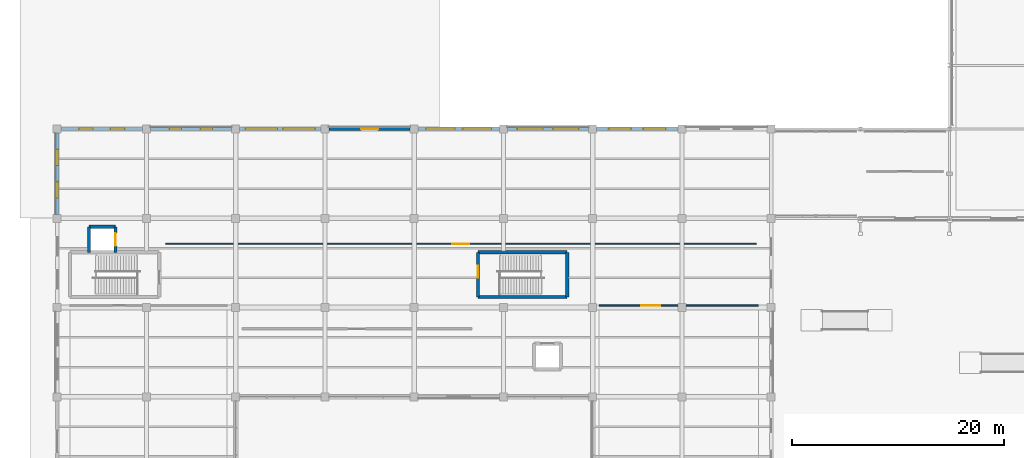
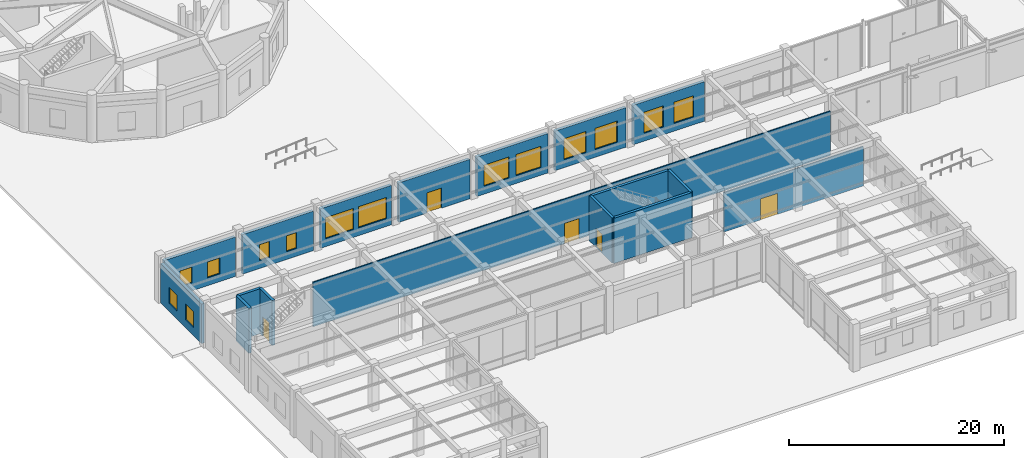
# One storey, part 125 of 157: 17 walls, 14 windows, 5 doors, 19 openings.
"""IFC4 building model written with IfcOpenShell, lengths in metres."""

from ifc_helpers import new_model, si_unit, direction, frame, frame_2d, origin, place, context, subcontext, project, spatial, rectangle, extrude, material, layer, layer_set, type_object, element, fill, save


model = new_model("IFC4")

# Units and contexts
model_context = context("Model", 3, precision=1e-05, world=origin(), true_north=direction((0.0, 1.0)))
body_context = subcontext(model_context, "Body", "Model", "MODEL_VIEW")
ifc_project = project(units=[si_unit("LENGTHUNIT", "METRE"), si_unit("AREAUNIT", "SQUARE_METRE"), si_unit("VOLUMEUNIT", "CUBIC_METRE"), si_unit("PLANEANGLEUNIT", "RADIAN"), si_unit("MASSUNIT", "GRAM", prefix="KILO"), si_unit("THERMODYNAMICTEMPERATUREUNIT", "KELVIN"), si_unit("POWERUNIT", "WATT")], contexts=[model_context])

# Site, building, storey
site_placement = place(None, origin())
site = spatial("IfcSite", under=ifc_project, at=site_placement, CompositionType="ELEMENT")
building_placement = place(site_placement, origin())
building = spatial("IfcBuilding", under=site, at=building_placement, Name="Darbajah Civic Hall", CompositionType="ELEMENT")
storey_placement = place(building_placement, origin())
storey = spatial("IfcBuildingStorey", under=building, at=storey_placement, Name="L00", CompositionType="ELEMENT", Elevation=0.0)

# Walls
ifc_material_1 = material(Name="Concrete C45/55", Category="concrete")
ifc_layer_1 = layer(ifc_material_1, 0.300048828125, Name="Concrete C45/55")
ifc_layer_set_1 = layer_set([ifc_layer_1], Name="Concrete C45/55")
wall_type_1 = type_object("IfcWallType", Name="Core Shear Wall 300mm", PredefinedType="SHEAR", material=ifc_layer_set_1)
wall_1_placement = place(storey_placement, frame((5.5, 32.800048828125, 0.0), z_axis=(0.0, 0.0, 1.0), x_axis=(-1.0, 0.0, 0.0)))
element("IfcWall", 1, at=wall_1_placement, inside=storey, type_object=wall_type_1, Name="L00 lift PL5 shaft wall N", PredefinedType="SHEAR", context=body_context, shape_type="SweptSolid", body=[
    extrude(rectangle(XDim=2.5, YDim=0.300048828125, at=frame_2d((1.25, 0.0))), origin(), (0.0, 0.0, 1.0), 5.1201171875),
])
wall_2_placement = place(storey_placement, frame((3.0, 32.800048828125, 0.0), z_axis=(0.0, 0.0, 1.0), x_axis=(0.0, -1.0, 0.0)))
element("IfcWall", 2, at=wall_2_placement, inside=storey, type_object=wall_type_1, Name="L00 lift PL5 shaft wall W", PredefinedType="SHEAR", context=body_context, shape_type="SweptSolid", body=[
    extrude(rectangle(XDim=2.400146484375, YDim=0.300048828125, at=frame_2d((1.2001953125, 0.0))), origin(), (0.0, 0.0, 1.0), 5.1201171875),
])

# Wall, opening, door
wall_3_placement = place(storey_placement, frame((5.5, 30.39990234375, 0.0), z_axis=(0.0, 0.0, 1.0), x_axis=(0.0, 1.0, 0.0)))
wall_3 = element("IfcWall", 3, at=wall_3_placement, inside=storey, type_object=wall_type_1, Name="L00 lift PL5 shaft wall E", PredefinedType="SHEAR", context=body_context, shape_type="SweptSolid", body=[
    extrude(rectangle(XDim=2.400146484375, YDim=0.300048828125, at=frame_2d((1.2001953125, 0.0))), origin(), (0.0, 0.0, 1.0), 5.1201171875),
])
opening_1_placement = place(wall_3_placement, frame((0.60009765625, 0.0, 0.0)))
opening_1 = element("IfcOpeningElement", 4, at=opening_1_placement, cuts=wall_3, Name="Opening LD-0115", PredefinedType="OPENING", context=body_context, shape_type="SweptSolid", body=[
    extrude(rectangle(XDim=1.199951171875, YDim=2.25, at=frame_2d((0.60009765625, 1.125))), frame((0.0, 0.159912109375, 0.0), z_axis=(0.0, -1.0, 0.0), x_axis=(1.0, 0.0, 0.0)), (0.0, 0.0, 1.0), 0.320068359375),
])
ifc_material_2 = material(Name="Stainless Lift Landing Door")
door_type_1 = type_object("IfcDoorType", Name="Lift Landing Door 1200x2250", OperationType="SLIDING_TO_LEFT", PredefinedType="DOOR", material=ifc_material_2)
door_1_placement = place(opening_1_placement, origin())
door_1 = element("IfcDoor", 5, at=door_1_placement, inside=storey, type_object=door_type_1, Name="L00 lift PL5 landing door LD-0115", OperationType="SLIDING_TO_LEFT", OverallHeight=2.25, OverallWidth=1.199951171875, PredefinedType="DOOR", context=body_context, shape_type="SweptSolid", body=[
    extrude(rectangle(XDim=1.199951171875, YDim=2.25, at=frame_2d((0.60009765625, 1.125))), frame((0.0, 0.02490234375, 0.0), z_axis=(0.0, -1.0, 0.0), x_axis=(1.0, 0.0, 0.0)), (0.0, 0.0, 1.0), 0.050048828125),
])
fill(opening_1, door_1)

# Walls
wall_4_placement = place(storey_placement, frame((39.60009765625, 26.199951171875, 0.0), z_axis=(0.0, 0.0, 1.0), x_axis=(1.0, 0.0, 0.0)))
element("IfcWall", 6, at=wall_4_placement, inside=storey, type_object=wall_type_1, Name="L00 core C11 shear wall S", PredefinedType="SHEAR", context=body_context, shape_type="SweptSolid", body=[
    extrude(rectangle(XDim=8.39990234375, YDim=0.300048828125, at=frame_2d((4.199951171875, 0.0))), origin(), (0.0, 0.0, 1.0), 5.1201171875),
])
wall_5_placement = place(storey_placement, frame((48.0, 26.199951171875, 0.0), z_axis=(0.0, 0.0, 1.0), x_axis=(0.0, 1.0, 0.0)))
element("IfcWall", 7, at=wall_5_placement, inside=storey, type_object=wall_type_1, Name="L00 core C11 shear wall E", PredefinedType="SHEAR", context=body_context, shape_type="SweptSolid", body=[
    extrude(rectangle(XDim=4.199951171875, YDim=0.300048828125, at=frame_2d((2.10009765625, 0.0))), origin(), (0.0, 0.0, 1.0), 5.1201171875),
])
wall_6_placement = place(storey_placement, frame((48.0, 30.39990234375, 0.0), z_axis=(0.0, 0.0, 1.0), x_axis=(-1.0, 0.0, 0.0)))
element("IfcWall", 8, at=wall_6_placement, inside=storey, type_object=wall_type_1, Name="L00 core C11 shear wall N", PredefinedType="SHEAR", context=body_context, shape_type="SweptSolid", body=[
    extrude(rectangle(XDim=8.39990234375, YDim=0.300048828125, at=frame_2d((4.199951171875, 0.0))), origin(), (0.0, 0.0, 1.0), 5.1201171875),
])

# Wall, opening, door
wall_7_placement = place(storey_placement, frame((39.60009765625, 30.39990234375, 0.0), z_axis=(0.0, 0.0, 1.0), x_axis=(0.0, -1.0, 0.0)))
wall_7 = element("IfcWall", 9, at=wall_7_placement, inside=storey, type_object=wall_type_1, Name="L00 core C11 shear wall W", PredefinedType="SHEAR", context=body_context, shape_type="SweptSolid", body=[
    extrude(rectangle(XDim=4.199951171875, YDim=0.300048828125, at=frame_2d((2.10009765625, 0.0))), origin(), (0.0, 0.0, 1.0), 5.1201171875),
])
opening_2_placement = place(wall_7_placement, frame((1.25, 0.0, 0.0)))
opening_2 = element("IfcOpeningElement", 10, at=opening_2_placement, cuts=wall_7, Name="Opening SD-0121", PredefinedType="OPENING", context=body_context, shape_type="SweptSolid", body=[
    extrude(rectangle(XDim=1.14990234375, YDim=2.199951171875, at=frame_2d((0.574951171875, 1.10009765625))), frame((0.0, 0.159912109375, 0.0), z_axis=(0.0, -1.0, 0.0), x_axis=(1.0, 0.0, 0.0)), (0.0, 0.0, 1.0), 0.320068359375),
])
ifc_material_3 = material(Name="Steel Rated Core Door", Category="steel")
door_type_2 = type_object("IfcDoorType", Name="Interior Door 1150x2200", OperationType="NOTDEFINED", PredefinedType="DOOR", material=ifc_material_3)
door_2_placement = place(opening_2_placement, frame((1.14990234375, 0.0, 0.0), z_axis=(0.0, 0.0, 1.0), x_axis=(-1.0, 0.0, 0.0)))
door_2 = element("IfcDoor", 11, at=door_2_placement, inside=storey, type_object=door_type_2, Name="L00 stair ST11 fire door SD-0121", OperationType="SINGLE_SWING_RIGHT", OverallHeight=2.199951171875, OverallWidth=1.14990234375, PredefinedType="DOOR", context=body_context, shape_type="SweptSolid", body=[
    extrude(rectangle(XDim=1.14990234375, YDim=2.199951171875, at=frame_2d((0.574951171875, 1.10009765625))), frame((0.0, 0.02490234375, 0.0), z_axis=(0.0, -1.0, 0.0), x_axis=(1.0, 0.0, 0.0)), (0.0, 0.0, 1.0), 0.050048828125),
])
fill(opening_2, door_2)

# Wall, openings, windows
ifc_material_4 = material(Name="Red Dholpur Sandstone Cladding", Category="masonry")
ifc_layer_2 = layer(ifc_material_4, 0.31005859375, Name="Red Dholpur Sandstone Cladding")
ifc_layer_set_2 = layer_set([ifc_layer_2], Name="Red Dholpur Sandstone Cladding")
wall_type_2 = type_object("IfcWallType", Name="Exterior Wall 310mm", PredefinedType="SOLIDWALL", material=ifc_layer_set_2)
wall_8_placement = place(storey_placement, frame((58.423095703125, 42.0, 0.0), z_axis=(0.0, 0.0, 1.0), x_axis=(-1.0, 0.0, 0.0)))
wall_8 = element("IfcWall", 12, at=wall_8_placement, inside=storey, type_object=wall_type_2, Name="L00 exterior wall EW-310", PredefinedType="SOLIDWALL", context=body_context, shape_type="SweptSolid", body=[
    extrude(rectangle(XDim=7.64599609375, YDim=0.31005859375, at=frame_2d((3.822998046875, 0.0))), origin(), (0.0, 0.0, 1.0), 4.489990234375),
])
opening_3_placement = place(wall_8_placement, frame((1.148681640625, 0.0, 0.89990234375)))
opening_3 = element("IfcOpeningElement", 13, at=opening_3_placement, cuts=wall_8, Name="Opening WN-13", PredefinedType="OPENING", context=body_context, shape_type="SweptSolid", body=[
    extrude(rectangle(XDim=2.10009765625, YDim=2.39990234375, at=frame_2d((1.050048828125, 1.199951171875))), frame((0.0, 0.1650390625, 0.0), z_axis=(0.0, -1.0, 0.0), x_axis=(1.0, 0.0, 0.0)), (0.0, 0.0, 1.0), 0.330078125),
])
opening_4_placement = place(wall_8_placement, frame((4.397216796875, 0.0, 0.89990234375)))
opening_4 = element("IfcOpeningElement", 14, at=opening_4_placement, cuts=wall_8, Name="Opening WN-13", PredefinedType="OPENING", context=body_context, shape_type="SweptSolid", body=[
    extrude(rectangle(XDim=2.10009765625, YDim=2.39990234375, at=frame_2d((1.050048828125, 1.199951171875))), frame((0.0, 0.1650390625, 0.0), z_axis=(0.0, -1.0, 0.0), x_axis=(1.0, 0.0, 0.0)), (0.0, 0.0, 1.0), 0.330078125),
])
ifc_material_5 = material(Name="Low-E Solar Control Double Glazing", Category="glass")
window_type_1 = type_object("IfcWindowType", Name="Facade Window 2100x2400", PartitioningType="DOUBLE_PANEL_VERTICAL", PredefinedType="WINDOW", material=ifc_material_5)
window_1_placement = place(opening_3_placement, origin())
window_1 = element("IfcWindow", 15, at=window_1_placement, inside=storey, type_object=window_type_1, Name="L00 facade window WN-13", OverallHeight=2.39990234375, OverallWidth=2.10009765625, PartitioningType="SINGLE_PANEL", PredefinedType="WINDOW", context=body_context, shape_type="SweptSolid", body=[
    extrude(rectangle(XDim=2.10009765625, YDim=2.39990234375, at=frame_2d((1.050048828125, 1.199951171875))), frame((0.0, 0.030029296875, 0.0), z_axis=(0.0, -1.0, 0.0), x_axis=(1.0, 0.0, 0.0)), (0.0, 0.0, 1.0), 0.06005859375),
])
fill(opening_3, window_1)
window_2_placement = place(opening_4_placement, origin())
window_2 = element("IfcWindow", 16, at=window_2_placement, inside=storey, type_object=window_type_1, Name="L00 facade window WN-13", OverallHeight=2.39990234375, OverallWidth=2.10009765625, PartitioningType="SINGLE_PANEL", PredefinedType="WINDOW", context=body_context, shape_type="SweptSolid", body=[
    extrude(rectangle(XDim=2.10009765625, YDim=2.39990234375, at=frame_2d((1.050048828125, 1.199951171875))), frame((0.0, 0.030029296875, 0.0), z_axis=(0.0, -1.0, 0.0), x_axis=(1.0, 0.0, 0.0)), (0.0, 0.0, 1.0), 0.06005859375),
])
fill(opening_4, window_2)

wall_9_placement = place(storey_placement, frame((50.02294921875, 42.0, 0.0), z_axis=(0.0, 0.0, 1.0), x_axis=(-1.0, 0.0, 0.0)))
wall_9 = element("IfcWall", 17, at=wall_9_placement, inside=storey, type_object=wall_type_2, Name="L00 exterior wall EW-310", PredefinedType="SOLIDWALL", context=body_context, shape_type="SweptSolid", body=[
    extrude(rectangle(XDim=7.64599609375, YDim=0.31005859375, at=frame_2d((3.822998046875, 0.0))), origin(), (0.0, 0.0, 1.0), 4.489990234375),
])
opening_5_placement = place(wall_9_placement, frame((0.94873046875, 0.0, 0.89990234375)))
opening_5 = element("IfcOpeningElement", 18, at=opening_5_placement, cuts=wall_9, Name="Opening WN-14", PredefinedType="OPENING", context=body_context, shape_type="SweptSolid", body=[
    extrude(rectangle(XDim=2.39990234375, YDim=2.39990234375, at=frame_2d((1.199951171875, 1.199951171875))), frame((0.0, 0.1650390625, 0.0), z_axis=(0.0, -1.0, 0.0), x_axis=(1.0, 0.0, 0.0)), (0.0, 0.0, 1.0), 0.330078125),
])
opening_6_placement = place(wall_9_placement, frame((4.29736328125, 0.0, 0.89990234375)))
opening_6 = element("IfcOpeningElement", 19, at=opening_6_placement, cuts=wall_9, Name="Opening WN-14", PredefinedType="OPENING", context=body_context, shape_type="SweptSolid", body=[
    extrude(rectangle(XDim=2.39990234375, YDim=2.39990234375, at=frame_2d((1.199951171875, 1.199951171875))), frame((0.0, 0.1650390625, 0.0), z_axis=(0.0, -1.0, 0.0), x_axis=(1.0, 0.0, 0.0)), (0.0, 0.0, 1.0), 0.330078125),
])
window_type_2 = type_object("IfcWindowType", Name="Facade Window 2400x2400", PartitioningType="DOUBLE_PANEL_VERTICAL", PredefinedType="WINDOW", material=ifc_material_5)
window_3_placement = place(opening_5_placement, origin())
window_3 = element("IfcWindow", 20, at=window_3_placement, inside=storey, type_object=window_type_2, Name="L00 facade window WN-14", OverallHeight=2.39990234375, OverallWidth=2.39990234375, PartitioningType="SINGLE_PANEL", PredefinedType="WINDOW", context=body_context, shape_type="SweptSolid", body=[
    extrude(rectangle(XDim=2.39990234375, YDim=2.39990234375, at=frame_2d((1.199951171875, 1.199951171875))), frame((0.0, 0.030029296875, 0.0), z_axis=(0.0, -1.0, 0.0), x_axis=(1.0, 0.0, 0.0)), (0.0, 0.0, 1.0), 0.06005859375),
])
fill(opening_5, window_3)
window_4_placement = place(opening_6_placement, origin())
window_4 = element("IfcWindow", 21, at=window_4_placement, inside=storey, type_object=window_type_2, Name="L00 facade window WN-14", OverallHeight=2.39990234375, OverallWidth=2.39990234375, PartitioningType="SINGLE_PANEL", PredefinedType="WINDOW", context=body_context, shape_type="SweptSolid", body=[
    extrude(rectangle(XDim=2.39990234375, YDim=2.39990234375, at=frame_2d((1.199951171875, 1.199951171875))), frame((0.0, 0.030029296875, 0.0), z_axis=(0.0, -1.0, 0.0), x_axis=(1.0, 0.0, 0.0)), (0.0, 0.0, 1.0), 0.06005859375),
])
fill(opening_6, window_4)

wall_10_placement = place(storey_placement, frame((41.623046875, 42.0, 0.0), z_axis=(0.0, 0.0, 1.0), x_axis=(-1.0, 0.0, 0.0)))
wall_10 = element("IfcWall", 22, at=wall_10_placement, inside=storey, type_object=wall_type_2, Name="L00 exterior wall EW-310", PredefinedType="SOLIDWALL", context=body_context, shape_type="SweptSolid", body=[
    extrude(rectangle(XDim=7.64599609375, YDim=0.31005859375, at=frame_2d((3.822998046875, 0.0))), origin(), (0.0, 0.0, 1.0), 4.489990234375),
])
opening_7_placement = place(wall_10_placement, frame((0.748779296875, 0.0, 0.89990234375)))
opening_7 = element("IfcOpeningElement", 23, at=opening_7_placement, cuts=wall_10, Name="Opening WN-15", PredefinedType="OPENING", context=body_context, shape_type="SweptSolid", body=[
    extrude(rectangle(XDim=2.699951171875, YDim=2.39990234375, at=frame_2d((1.35009765625, 1.199951171875))), frame((0.0, 0.1650390625, 0.0), z_axis=(0.0, -1.0, 0.0), x_axis=(1.0, 0.0, 0.0)), (0.0, 0.0, 1.0), 0.330078125),
])
opening_8_placement = place(wall_10_placement, frame((4.197265625, 0.0, 0.89990234375)))
opening_8 = element("IfcOpeningElement", 24, at=opening_8_placement, cuts=wall_10, Name="Opening WN-15", PredefinedType="OPENING", context=body_context, shape_type="SweptSolid", body=[
    extrude(rectangle(XDim=2.699951171875, YDim=2.39990234375, at=frame_2d((1.35009765625, 1.199951171875))), frame((0.0, 0.1650390625, 0.0), z_axis=(0.0, -1.0, 0.0), x_axis=(1.0, 0.0, 0.0)), (0.0, 0.0, 1.0), 0.330078125),
])
window_type_3 = type_object("IfcWindowType", Name="Facade Window 2700x2400", PartitioningType="DOUBLE_PANEL_VERTICAL", PredefinedType="WINDOW", material=ifc_material_5)
window_5_placement = place(opening_7_placement, origin())
window_5 = element("IfcWindow", 25, at=window_5_placement, inside=storey, type_object=window_type_3, Name="L00 facade window WN-15", OverallHeight=2.39990234375, OverallWidth=2.699951171875, PartitioningType="SINGLE_PANEL", PredefinedType="WINDOW", context=body_context, shape_type="SweptSolid", body=[
    extrude(rectangle(XDim=2.699951171875, YDim=2.39990234375, at=frame_2d((1.35009765625, 1.199951171875))), frame((0.0, 0.030029296875, 0.0), z_axis=(0.0, -1.0, 0.0), x_axis=(1.0, 0.0, 0.0)), (0.0, 0.0, 1.0), 0.06005859375),
])
fill(opening_7, window_5)
window_6_placement = place(opening_8_placement, origin())
window_6 = element("IfcWindow", 26, at=window_6_placement, inside=storey, type_object=window_type_3, Name="L00 facade window WN-15", OverallHeight=2.39990234375, OverallWidth=2.699951171875, PartitioningType="SINGLE_PANEL", PredefinedType="WINDOW", context=body_context, shape_type="SweptSolid", body=[
    extrude(rectangle(XDim=2.699951171875, YDim=2.39990234375, at=frame_2d((1.35009765625, 1.199951171875))), frame((0.0, 0.030029296875, 0.0), z_axis=(0.0, -1.0, 0.0), x_axis=(1.0, 0.0, 0.0)), (0.0, 0.0, 1.0), 0.06005859375),
])
fill(opening_8, window_6)

# Wall, opening, door
wall_11_placement = place(storey_placement, frame((33.222900390625, 42.0, 0.0), z_axis=(0.0, 0.0, 1.0), x_axis=(-1.0, 0.0, 0.0)))
wall_11 = element("IfcWall", 27, at=wall_11_placement, inside=storey, type_object=wall_type_2, Name="L00 exterior wall EW-310", PredefinedType="SOLIDWALL", context=body_context, shape_type="SweptSolid", body=[
    extrude(rectangle(XDim=7.64599609375, YDim=0.31005859375, at=frame_2d((3.822998046875, 0.0))), origin(), (0.0, 0.0, 1.0), 4.489990234375),
])
opening_9_placement = place(wall_11_placement, frame((3.02294921875, 0.0, 0.0)))
opening_9 = element("IfcOpeningElement", 28, at=opening_9_placement, cuts=wall_11, Name="Opening E-016", PredefinedType="OPENING", context=body_context, shape_type="SweptSolid", body=[
    extrude(rectangle(XDim=1.60009765625, YDim=2.300048828125, at=frame_2d((0.800048828125, 1.14990234375))), frame((0.0, 0.1650390625, 0.0), z_axis=(0.0, -1.0, 0.0), x_axis=(1.0, 0.0, 0.0)), (0.0, 0.0, 1.0), 0.330078125),
])
ifc_material_6 = material(Name="Anodised Bronze Aluminium and Laminated Glass", Category="aluminium")
door_type_3 = type_object("IfcDoorType", Name="Exterior Door 1600x2300", OperationType="NOTDEFINED", PredefinedType="DOOR", material=ifc_material_6)
door_3_placement = place(opening_9_placement, frame((1.60009765625, 0.0, 0.0), z_axis=(0.0, 0.0, 1.0), x_axis=(-1.0, 0.0, 0.0)))
door_3 = element("IfcDoor", 29, at=door_3_placement, inside=storey, type_object=door_type_3, Name="Pedestrian Final Exit E-016", OperationType="DOUBLE_DOOR_SINGLE_SWING", OverallHeight=2.300048828125, OverallWidth=1.60009765625, PredefinedType="DOOR", context=body_context, shape_type="SweptSolid", body=[
    extrude(rectangle(XDim=1.60009765625, YDim=2.300048828125, at=frame_2d((0.800048828125, 1.14990234375))), frame((0.0, 0.02490234375, 0.0), z_axis=(0.0, -1.0, 0.0), x_axis=(1.0, 0.0, 0.0)), (0.0, 0.0, 1.0), 0.050048828125),
])
fill(opening_9, door_3)

# Wall, openings, windows
wall_12_placement = place(storey_placement, frame((24.822998046875, 42.0, 0.0), z_axis=(0.0, 0.0, 1.0), x_axis=(-1.0, 0.0, 0.0)))
wall_12 = element("IfcWall", 30, at=wall_12_placement, inside=storey, type_object=wall_type_2, Name="L00 exterior wall EW-310", PredefinedType="SOLIDWALL", context=body_context, shape_type="SweptSolid", body=[
    extrude(rectangle(XDim=7.64599609375, YDim=0.31005859375, at=frame_2d((3.822998046875, 0.0))), origin(), (0.0, 0.0, 1.0), 4.489990234375),
])
opening_10_placement = place(wall_12_placement, frame((0.548583984375, 0.0, 0.89990234375)))
opening_10 = element("IfcOpeningElement", 31, at=opening_10_placement, cuts=wall_12, Name="Opening WN-16", PredefinedType="OPENING", context=body_context, shape_type="SweptSolid", body=[
    extrude(rectangle(XDim=3.0, YDim=2.39990234375, at=frame_2d((1.5, 1.199951171875))), frame((0.0, 0.1650390625, 0.0), z_axis=(0.0, -1.0, 0.0), x_axis=(1.0, 0.0, 0.0)), (0.0, 0.0, 1.0), 0.330078125),
])
opening_11_placement = place(wall_12_placement, frame((4.097412109375, 0.0, 0.89990234375)))
opening_11 = element("IfcOpeningElement", 32, at=opening_11_placement, cuts=wall_12, Name="Opening WN-16", PredefinedType="OPENING", context=body_context, shape_type="SweptSolid", body=[
    extrude(rectangle(XDim=3.0, YDim=2.39990234375, at=frame_2d((1.5, 1.199951171875))), frame((0.0, 0.1650390625, 0.0), z_axis=(0.0, -1.0, 0.0), x_axis=(1.0, 0.0, 0.0)), (0.0, 0.0, 1.0), 0.330078125),
])
window_type_4 = type_object("IfcWindowType", Name="Facade Window 3000x2400", PartitioningType="DOUBLE_PANEL_VERTICAL", PredefinedType="WINDOW", material=ifc_material_5)
window_7_placement = place(opening_10_placement, origin())
window_7 = element("IfcWindow", 33, at=window_7_placement, inside=storey, type_object=window_type_4, Name="L00 facade window WN-16", OverallHeight=2.39990234375, OverallWidth=3.0, PartitioningType="SINGLE_PANEL", PredefinedType="WINDOW", context=body_context, shape_type="SweptSolid", body=[
    extrude(rectangle(XDim=3.0, YDim=2.39990234375, at=frame_2d((1.5, 1.199951171875))), frame((0.0, 0.030029296875, 0.0), z_axis=(0.0, -1.0, 0.0), x_axis=(1.0, 0.0, 0.0)), (0.0, 0.0, 1.0), 0.06005859375),
])
fill(opening_10, window_7)
window_8_placement = place(opening_11_placement, origin())
window_8 = element("IfcWindow", 34, at=window_8_placement, inside=storey, type_object=window_type_4, Name="L00 facade window WN-16", OverallHeight=2.39990234375, OverallWidth=3.0, PartitioningType="SINGLE_PANEL", PredefinedType="WINDOW", context=body_context, shape_type="SweptSolid", body=[
    extrude(rectangle(XDim=3.0, YDim=2.39990234375, at=frame_2d((1.5, 1.199951171875))), frame((0.0, 0.030029296875, 0.0), z_axis=(0.0, -1.0, 0.0), x_axis=(1.0, 0.0, 0.0)), (0.0, 0.0, 1.0), 0.06005859375),
])
fill(opening_11, window_8)

wall_13_placement = place(storey_placement, frame((16.423095703125, 42.0, 0.0), z_axis=(0.0, 0.0, 1.0), x_axis=(-1.0, 0.0, 0.0)))
wall_13 = element("IfcWall", 35, at=wall_13_placement, inside=storey, type_object=wall_type_2, Name="L00 exterior wall EW-310", PredefinedType="SOLIDWALL", context=body_context, shape_type="SweptSolid", body=[
    extrude(rectangle(XDim=7.64599609375, YDim=0.31005859375, at=frame_2d((3.822998046875, 0.0))), origin(), (0.0, 0.0, 1.0), 4.489990234375),
])
opening_12_placement = place(wall_13_placement, frame((1.815185546875, 0.0, 0.89990234375)))
opening_12 = element("IfcOpeningElement", 36, at=opening_12_placement, cuts=wall_13, Name="Opening WN-17", PredefinedType="OPENING", context=body_context, shape_type="SweptSolid", body=[
    extrude(rectangle(XDim=1.10009765625, YDim=1.800048828125, at=frame_2d((0.550048828125, 0.89990234375))), frame((0.0, 0.1650390625, 0.0), z_axis=(0.0, -1.0, 0.0), x_axis=(1.0, 0.0, 0.0)), (0.0, 0.0, 1.0), 0.330078125),
])
opening_13_placement = place(wall_13_placement, frame((4.730712890625, 0.0, 0.89990234375)))
opening_13 = element("IfcOpeningElement", 37, at=opening_13_placement, cuts=wall_13, Name="Opening WN-17", PredefinedType="OPENING", context=body_context, shape_type="SweptSolid", body=[
    extrude(rectangle(XDim=1.10009765625, YDim=1.800048828125, at=frame_2d((0.550048828125, 0.89990234375))), frame((0.0, 0.1650390625, 0.0), z_axis=(0.0, -1.0, 0.0), x_axis=(1.0, 0.0, 0.0)), (0.0, 0.0, 1.0), 0.330078125),
])
window_type_5 = type_object("IfcWindowType", Name="Facade Window 1100x1800", PartitioningType="SINGLE_PANEL", PredefinedType="WINDOW", material=ifc_material_5)
window_9_placement = place(opening_12_placement, origin())
window_9 = element("IfcWindow", 38, at=window_9_placement, inside=storey, type_object=window_type_5, Name="L00 facade window WN-17", OverallHeight=1.800048828125, OverallWidth=1.10009765625, PartitioningType="SINGLE_PANEL", PredefinedType="WINDOW", context=body_context, shape_type="SweptSolid", body=[
    extrude(rectangle(XDim=1.10009765625, YDim=1.800048828125, at=frame_2d((0.550048828125, 0.89990234375))), frame((0.0, 0.030029296875, 0.0), z_axis=(0.0, -1.0, 0.0), x_axis=(1.0, 0.0, 0.0)), (0.0, 0.0, 1.0), 0.06005859375),
])
fill(opening_12, window_9)
window_10_placement = place(opening_13_placement, origin())
window_10 = element("IfcWindow", 39, at=window_10_placement, inside=storey, type_object=window_type_5, Name="L00 facade window WN-17", OverallHeight=1.800048828125, OverallWidth=1.10009765625, PartitioningType="SINGLE_PANEL", PredefinedType="WINDOW", context=body_context, shape_type="SweptSolid", body=[
    extrude(rectangle(XDim=1.10009765625, YDim=1.800048828125, at=frame_2d((0.550048828125, 0.89990234375))), frame((0.0, 0.030029296875, 0.0), z_axis=(0.0, -1.0, 0.0), x_axis=(1.0, 0.0, 0.0)), (0.0, 0.0, 1.0), 0.06005859375),
])
fill(opening_13, window_10)

wall_14_placement = place(storey_placement, frame((8.02294921875, 42.0, 0.0), z_axis=(0.0, 0.0, 1.0), x_axis=(-1.0, 0.0, 0.0)))
wall_14 = element("IfcWall", 40, at=wall_14_placement, inside=storey, type_object=wall_type_2, Name="L00 exterior wall EW-310", PredefinedType="SOLIDWALL", context=body_context, shape_type="SweptSolid", body=[
    extrude(rectangle(XDim=7.64599609375, YDim=0.31005859375, at=frame_2d((3.822998046875, 0.0))), origin(), (0.0, 0.0, 1.0), 4.489990234375),
])
opening_14_placement = place(wall_14_placement, frame((1.681884765625, 0.0, 0.89990234375)))
opening_14 = element("IfcOpeningElement", 41, at=opening_14_placement, cuts=wall_14, Name="Opening WN-18", PredefinedType="OPENING", context=body_context, shape_type="SweptSolid", body=[
    extrude(rectangle(XDim=1.300048828125, YDim=1.800048828125, at=frame_2d((0.64990234375, 0.89990234375))), frame((0.0, 0.1650390625, 0.0), z_axis=(0.0, -1.0, 0.0), x_axis=(1.0, 0.0, 0.0)), (0.0, 0.0, 1.0), 0.330078125),
])
opening_15_placement = place(wall_14_placement, frame((4.6640625, 0.0, 0.89990234375)))
opening_15 = element("IfcOpeningElement", 42, at=opening_15_placement, cuts=wall_14, Name="Opening WN-18", PredefinedType="OPENING", context=body_context, shape_type="SweptSolid", body=[
    extrude(rectangle(XDim=1.300048828125, YDim=1.800048828125, at=frame_2d((0.64990234375, 0.89990234375))), frame((0.0, 0.1650390625, 0.0), z_axis=(0.0, -1.0, 0.0), x_axis=(1.0, 0.0, 0.0)), (0.0, 0.0, 1.0), 0.330078125),
])
window_type_6 = type_object("IfcWindowType", Name="Facade Window 1300x1800", PartitioningType="SINGLE_PANEL", PredefinedType="WINDOW", material=ifc_material_5)
window_11_placement = place(opening_14_placement, origin())
window_11 = element("IfcWindow", 43, at=window_11_placement, inside=storey, type_object=window_type_6, Name="L00 facade window WN-18", OverallHeight=1.800048828125, OverallWidth=1.300048828125, PartitioningType="SINGLE_PANEL", PredefinedType="WINDOW", context=body_context, shape_type="SweptSolid", body=[
    extrude(rectangle(XDim=1.300048828125, YDim=1.800048828125, at=frame_2d((0.64990234375, 0.89990234375))), frame((0.0, 0.030029296875, 0.0), z_axis=(0.0, -1.0, 0.0), x_axis=(1.0, 0.0, 0.0)), (0.0, 0.0, 1.0), 0.06005859375),
])
fill(opening_14, window_11)
window_12_placement = place(opening_15_placement, origin())
window_12 = element("IfcWindow", 44, at=window_12_placement, inside=storey, type_object=window_type_6, Name="L00 facade window WN-18", OverallHeight=1.800048828125, OverallWidth=1.300048828125, PartitioningType="SINGLE_PANEL", PredefinedType="WINDOW", context=body_context, shape_type="SweptSolid", body=[
    extrude(rectangle(XDim=1.300048828125, YDim=1.800048828125, at=frame_2d((0.64990234375, 0.89990234375))), frame((0.0, 0.030029296875, 0.0), z_axis=(0.0, -1.0, 0.0), x_axis=(1.0, 0.0, 0.0)), (0.0, 0.0, 1.0), 0.06005859375),
])
fill(opening_15, window_12)

wall_15_placement = place(storey_placement, frame((0.0, 41.623046875, 0.0), z_axis=(0.0, 0.0, 1.0), x_axis=(0.0, -1.0, 0.0)))
wall_15 = element("IfcWall", 45, at=wall_15_placement, inside=storey, type_object=wall_type_2, Name="L00 exterior wall EW-310", PredefinedType="SOLIDWALL", context=body_context, shape_type="SweptSolid", body=[
    extrude(rectangle(XDim=7.64599609375, YDim=0.31005859375, at=frame_2d((3.822998046875, 0.0))), origin(), (0.0, 0.0, 1.0), 4.489990234375),
])
opening_16_placement = place(wall_15_placement, frame((1.548583984375, 0.0, 0.89990234375)))
opening_16 = element("IfcOpeningElement", 46, at=opening_16_placement, cuts=wall_15, Name="Opening WN-19", PredefinedType="OPENING", context=body_context, shape_type="SweptSolid", body=[
    extrude(rectangle(XDim=1.5, YDim=1.800048828125, at=frame_2d((0.75, 0.89990234375))), frame((0.0, 0.1650390625, 0.0), z_axis=(0.0, -1.0, 0.0), x_axis=(1.0, 0.0, 0.0)), (0.0, 0.0, 1.0), 0.330078125),
])
opening_17_placement = place(wall_15_placement, frame((4.597412109375, 0.0, 0.89990234375)))
opening_17 = element("IfcOpeningElement", 47, at=opening_17_placement, cuts=wall_15, Name="Opening WN-19", PredefinedType="OPENING", context=body_context, shape_type="SweptSolid", body=[
    extrude(rectangle(XDim=1.5, YDim=1.800048828125, at=frame_2d((0.75, 0.89990234375))), frame((0.0, 0.1650390625, 0.0), z_axis=(0.0, -1.0, 0.0), x_axis=(1.0, 0.0, 0.0)), (0.0, 0.0, 1.0), 0.330078125),
])
window_type_7 = type_object("IfcWindowType", Name="Facade Window 1500x1800", PartitioningType="SINGLE_PANEL", PredefinedType="WINDOW", material=ifc_material_5)
window_13_placement = place(opening_16_placement, origin())
window_13 = element("IfcWindow", 48, at=window_13_placement, inside=storey, type_object=window_type_7, Name="L00 facade window WN-19", OverallHeight=1.800048828125, OverallWidth=1.5, PartitioningType="SINGLE_PANEL", PredefinedType="WINDOW", context=body_context, shape_type="SweptSolid", body=[
    extrude(rectangle(XDim=1.5, YDim=1.800048828125, at=frame_2d((0.75, 0.89990234375))), frame((0.0, 0.030029296875, 0.0), z_axis=(0.0, -1.0, 0.0), x_axis=(1.0, 0.0, 0.0)), (0.0, 0.0, 1.0), 0.06005859375),
])
fill(opening_16, window_13)
window_14_placement = place(opening_17_placement, origin())
window_14 = element("IfcWindow", 49, at=window_14_placement, inside=storey, type_object=window_type_7, Name="L00 facade window WN-19", OverallHeight=1.800048828125, OverallWidth=1.5, PartitioningType="SINGLE_PANEL", PredefinedType="WINDOW", context=body_context, shape_type="SweptSolid", body=[
    extrude(rectangle(XDim=1.5, YDim=1.800048828125, at=frame_2d((0.75, 0.89990234375))), frame((0.0, 0.030029296875, 0.0), z_axis=(0.0, -1.0, 0.0), x_axis=(1.0, 0.0, 0.0)), (0.0, 0.0, 1.0), 0.06005859375),
])
fill(opening_17, window_14)

# Wall, opening, door
ifc_material_7 = material(Name="Acoustic Gypsum Partition")
ifc_layer_3 = layer(ifc_material_7, 0.114990234375, Name="Acoustic Gypsum Partition")
ifc_layer_set_3 = layer_set([ifc_layer_3], Name="Acoustic Gypsum Partition")
wall_type_3 = type_object("IfcWallType", Name="Interior Partition 115mm", PredefinedType="PARTITIONING", material=ifc_layer_set_3)
wall_16_placement = place(storey_placement, frame((10.199951171875, 31.199951171875, 0.0), z_axis=(0.0, 0.0, 1.0), x_axis=(1.0, 0.0, 0.0)))
wall_16 = element("IfcWall", 50, at=wall_16_placement, inside=storey, type_object=wall_type_3, Name="L00 interior partition L00-V5-04", PredefinedType="PARTITIONING", context=body_context, shape_type="SweptSolid", body=[
    extrude(rectangle(XDim=55.60009765625, YDim=0.114990234375, at=frame_2d((27.800048828125, 0.0))), origin(), (0.0, 0.0, 1.0), 5.06005859375),
])
opening_18_placement = place(wall_16_placement, frame((27.0, 0.0, 0.0)))
opening_18 = element("IfcOpeningElement", 51, at=opening_18_placement, cuts=wall_16, Name="Opening D-0172", PredefinedType="OPENING", context=body_context, shape_type="SweptSolid", body=[
    extrude(rectangle(XDim=1.60009765625, YDim=2.300048828125, at=frame_2d((0.800048828125, 1.14990234375))), frame((0.0, 0.0673828125, 0.0), z_axis=(0.0, -1.0, 0.0), x_axis=(1.0, 0.0, 0.0)), (0.0, 0.0, 1.0), 0.135009765625),
])
ifc_material_8 = material(Name="Painted Hardwood Fire Door", Category="wood")
door_type_4 = type_object("IfcDoorType", Name="Interior Door 1600x2300", OperationType="NOTDEFINED", PredefinedType="DOOR", material=ifc_material_8)
door_4_placement = place(opening_18_placement, origin())
door_4 = element("IfcDoor", 52, at=door_4_placement, inside=storey, type_object=door_type_4, Name="L00 L00-V5-04 door D-0172", OperationType="DOUBLE_DOOR_SINGLE_SWING", OverallHeight=2.300048828125, OverallWidth=1.60009765625, PredefinedType="DOOR", context=body_context, shape_type="SweptSolid", body=[
    extrude(rectangle(XDim=1.60009765625, YDim=2.300048828125, at=frame_2d((0.800048828125, 1.14990234375))), frame((0.0, 0.02490234375, 0.0), z_axis=(0.0, -1.0, 0.0), x_axis=(1.0, 0.0, 0.0)), (0.0, 0.0, 1.0), 0.050048828125),
])
fill(opening_18, door_4)

ifc_material_9 = material(Name="Gypsum Plasterboard on Steel Stud", Category="steel")
ifc_layer_4 = layer(ifc_material_9, 0.135009765625, Name="Gypsum Plasterboard on Steel Stud")
ifc_layer_set_4 = layer_set([ifc_layer_4], Name="Gypsum Plasterboard on Steel Stud")
wall_type_4 = type_object("IfcWallType", Name="Interior Partition 135mm", PredefinedType="PARTITIONING", material=ifc_layer_set_4)
wall_17_placement = place(storey_placement, frame((51.0, 25.39990234375, 0.0), z_axis=(0.0, 0.0, 1.0), x_axis=(1.0, 0.0, 0.0)))
wall_17 = element("IfcWall", 53, at=wall_17_placement, inside=storey, type_object=wall_type_4, Name="L00 interior partition L00-V5-03", PredefinedType="PARTITIONING", context=body_context, shape_type="SweptSolid", body=[
    extrude(rectangle(XDim=15.0, YDim=0.135009765625, at=frame_2d((7.5, 0.0))), origin(), (0.0, 0.0, 1.0), 4.489990234375),
])
opening_19_placement = place(wall_17_placement, frame((3.9599609375, 0.0, 0.0)))
opening_19 = element("IfcOpeningElement", 54, at=opening_19_placement, cuts=wall_17, Name="Opening D-0171", PredefinedType="OPENING", context=body_context, shape_type="SweptSolid", body=[
    extrude(rectangle(XDim=1.800048828125, YDim=2.39990234375, at=frame_2d((0.89990234375, 1.199951171875))), frame((0.0, 0.077392578125, 0.0), z_axis=(0.0, -1.0, 0.0), x_axis=(1.0, 0.0, 0.0)), (0.0, 0.0, 1.0), 0.155029296875),
])
door_type_5 = type_object("IfcDoorType", Name="Interior Door 1800x2400", OperationType="NOTDEFINED", PredefinedType="DOOR", material=ifc_material_8)
door_5_placement = place(opening_19_placement, origin())
door_5 = element("IfcDoor", 55, at=door_5_placement, inside=storey, type_object=door_type_5, Name="L00 L00-V5-03 door D-0171", OperationType="DOUBLE_DOOR_SINGLE_SWING", OverallHeight=2.39990234375, OverallWidth=1.800048828125, PredefinedType="DOOR", context=body_context, shape_type="SweptSolid", body=[
    extrude(rectangle(XDim=1.800048828125, YDim=2.39990234375, at=frame_2d((0.89990234375, 1.199951171875))), frame((0.0, 0.02490234375, 0.0), z_axis=(0.0, -1.0, 0.0), x_axis=(1.0, 0.0, 0.0)), (0.0, 0.0, 1.0), 0.050048828125),
])
fill(opening_19, door_5)

save(model, "model.ifc")
